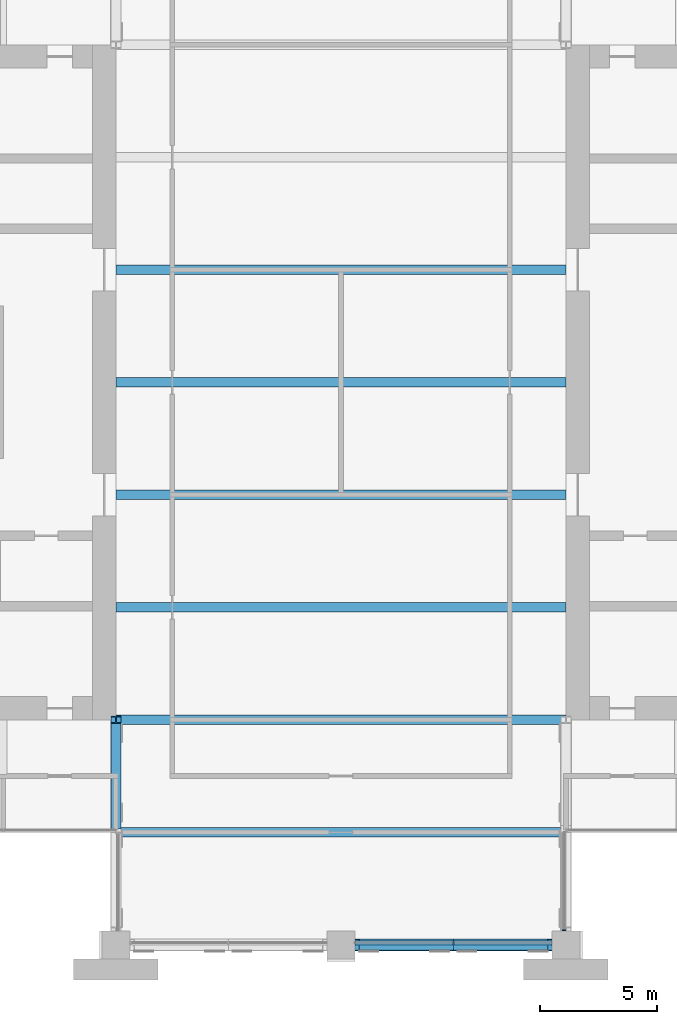
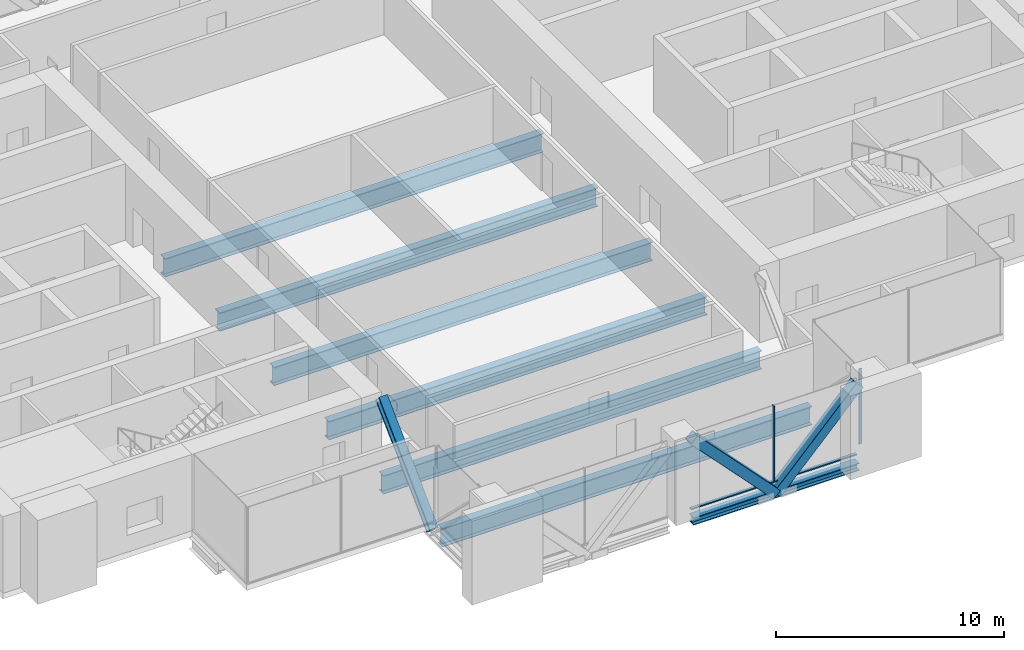
# One storey, part 3 of 14: 7 beams, 6 members, 2 elements without a shape of their own.
"""IFC4 building model written with IfcOpenShell, lengths in metres."""

from ifc_helpers import new_model, si_unit, direction, frame, origin, origin_2d, place, context, subcontext, project, spatial, rectangle, hollow_rectangle, i_section, extrude, material, material_profile, profile_set, type_object, element, aggregate, save


model = new_model("IFC4")

# Units and contexts
model_context = context("Model", 3, precision=1e-05, world=origin(), true_north=direction((0.0, 1.0)))
body_context = subcontext(model_context, "Body", "Model", "MODEL_VIEW")
ifc_project = project(units=[si_unit("LENGTHUNIT", "METRE"), si_unit("AREAUNIT", "SQUARE_METRE"), si_unit("VOLUMEUNIT", "CUBIC_METRE"), si_unit("PLANEANGLEUNIT", "RADIAN"), si_unit("MASSUNIT", "GRAM", prefix="KILO")], contexts=[model_context])

# Site, building, storey
site_placement = place(None, origin())
site = spatial("IfcSite", under=ifc_project, at=site_placement, CompositionType="ELEMENT")
building_placement = place(site_placement, origin())
building = spatial("IfcBuilding", under=site, at=building_placement, Name="Baori Bourse Tower", CompositionType="ELEMENT")
storey_placement = place(building_placement, frame((0.0, 0.0, 176.10009765625)))
storey = spatial("IfcBuildingStorey", under=building, at=storey_placement, Name="L39", CompositionType="ELEMENT", Elevation=176.10009765625)

# Beam
ifc_material_1 = material(Name="Steel A913 Gr 65", Category="steel")
ifc_material_profile_1 = material_profile(ifc_material_1, i_section(OverallWidth=0.4013671875, OverallDepth=0.398681640625, WebThickness=0.02490234375, FlangeThickness=0.03955078125, at=origin_2d()), Name="W14x211")
ifc_profile_set_1 = profile_set([ifc_material_profile_1], Name="Steel A913 Gr 65")
beam_type_1 = type_object("IfcBeamType", Name="Belt truss chord W14x211", PredefinedType="BEAM", material=ifc_profile_set_1)
beam_1_placement = place(storey_placement, frame((29.39990234375, 0.0, -0.49951171875), z_axis=(1.0, 0.0, 0.0), x_axis=(0.0, 1.0, 0.0)))
element("IfcBeam", 1, at=beam_1_placement, inside=storey, type_object=beam_type_1, Name="Belt truss chord L39", PredefinedType="BEAM", context=body_context, shape_type="SweptSolid", body=[
    extrude(i_section(OverallWidth=0.4013671875, OverallDepth=0.398681640625, WebThickness=0.02490234375, FlangeThickness=0.03955078125, at=origin_2d()), origin(), (0.0, 0.0, 1.0), 8.400146484375),
])

# Members
ifc_material_2 = material(Name="Steel A500 Gr C", Category="steel")
ifc_material_profile_2 = material_profile(ifc_material_2, hollow_rectangle(XDim=0.508056640625, YDim=0.508056640625, WallThickness=0.0146484375, InnerFilletRadius=0.00732421875, OuterFilletRadius=0.022216796875, at=origin_2d()), Name="HSS20x20x5/8")
ifc_profile_set_2 = profile_set([ifc_material_profile_2], Name="Steel A500 Gr C")
member_type_1 = type_object("IfcMemberType", Name="Belt truss diagonal HSS20x20x5/8", PredefinedType="BRACE", material=ifc_profile_set_2)
for number, where, z_axis, x_axis, name in (
    (2, (29.39990234375, 0.0, 3.900390625), (0.69050056554, 0.0, -0.723331852602), (0.0, 1.0, 0.0), "Belt truss diagonal L39"),
    (3, (33.60009765625, 0.0, -0.49951171875), (0.690479565127, 0.0, 0.723351899245), (0.0, 1.0, 0.0), "Belt truss diagonal L39"),
):
    element("IfcMember", number, at=place(storey_placement, frame(where, z_axis=z_axis, x_axis=x_axis)), inside=storey, type_object=member_type_1, Name=name, PredefinedType="BRACE", context=body_context, shape_type="SweptSolid", body=[
        extrude(hollow_rectangle(XDim=0.508056640625, YDim=0.508056640625, WallThickness=0.0146484375, InnerFilletRadius=0.00732421875, OuterFilletRadius=0.022216796875, at=origin_2d()), origin(), (0.0, 0.0, 1.0), 6.082763671875),
    ])

# Curtain wall, member
ifc_material_3 = material(Name="Pale anodised aluminium", Category="aluminium")
curtain_wall_type = type_object("IfcCurtainWallType", Name="CW3 Curtain wall", PredefinedType="NOTDEFINED", material=ifc_material_3)
curtain_wall_1_placement = place(storey_placement, origin())
curtain_wall_1 = element("IfcCurtainWall", 4, at=curtain_wall_1_placement, inside=storey, type_object=curtain_wall_type, Name="Curtain wall CW3 L39 11", PredefinedType="NOTDEFINED")
ifc_material_4 = material(Name="Pale anodised aluminium", Category="aluminium")
ifc_material_profile_3 = material_profile(ifc_material_4, rectangle(XDim=0.159912109375, YDim=0.050048828125, at=origin_2d()), Name="Mullion 50x160")
ifc_profile_set_3 = profile_set([ifc_material_profile_3], Name="Pale anodised aluminium")
member_type_2 = type_object("IfcMemberType", Name="CW3 Curtain wall mullion", PredefinedType="MULLION", material=ifc_profile_set_3)
member_1_placement = place(storey_placement, frame((33.60009765625, 0.080078125, 0.059814453125), z_axis=(0.0, 0.0, 1.0), x_axis=(0.0, 1.0, 0.0)))
member_1 = element("IfcMember", 5, at=member_1_placement, type_object=member_type_2, Name="Curtain wall CW3 mullion", PredefinedType="MULLION", context=body_context, shape_type="SweptSolid", body=[
    extrude(rectangle(XDim=0.159912109375, YDim=0.050048828125, at=origin_2d()), origin(), (0.0, 0.0, 1.0), 4.0400390625),
])

curtain_wall_2_placement = place(storey_placement, origin())
curtain_wall_2 = element("IfcCurtainWall", 6, at=curtain_wall_2_placement, inside=storey, type_object=curtain_wall_type, Name="Curtain wall CW3 L39 12", PredefinedType="NOTDEFINED")
member_2_placement = place(storey_placement, frame((38.320068359375, 0.625, 0.059814453125), z_axis=(0.0, 0.0, 1.0), x_axis=(-1.0, 0.0, 0.0)))
member_2 = element("IfcMember", 7, at=member_2_placement, type_object=member_type_2, Name="Curtain wall CW3 mullion", PredefinedType="MULLION", context=body_context, shape_type="SweptSolid", body=[
    extrude(rectangle(XDim=0.159912109375, YDim=0.050048828125, at=origin_2d()), origin(), (0.0, 0.0, 1.0), 4.0400390625),
])
aggregate(curtain_wall_2, [member_2])

# Member
ifc_material_5 = material(Name="Pale anodised aluminium", Category="aluminium")
ifc_material_profile_4 = material_profile(ifc_material_5, rectangle(XDim=0.159912109375, YDim=0.06005859375, at=origin_2d()), Name="Transom 60x160")
ifc_profile_set_4 = profile_set([ifc_material_profile_4], Name="Pale anodised aluminium")
member_type_3 = type_object("IfcMemberType", Name="CW3 Curtain wall transom", PredefinedType="USERDEFINED", material=ifc_profile_set_4)
member_3_placement = place(storey_placement, frame((29.39990234375, 0.080078125, 0.02978515625), z_axis=(1.0, 0.0, 0.0), x_axis=(0.0, 1.0, 0.0)))
member_3 = element("IfcMember", 8, at=member_3_placement, type_object=member_type_3, Name="Curtain wall CW3 sill rail", ObjectType="TRANSOM", PredefinedType="USERDEFINED", context=body_context, shape_type="SweptSolid", body=[
    extrude(rectangle(XDim=0.159912109375, YDim=0.06005859375, at=origin_2d()), origin(), (0.0, 0.0, 1.0), 8.400146484375),
])

aggregate(curtain_wall_1, [member_3, member_1])

# Beams
ifc_material_6 = material(Name="Steel A992 Gr 50", Category="steel")
ifc_material_profile_5 = material_profile(ifc_material_6, i_section(OverallWidth=0.4013671875, OverallDepth=0.990478515625, WebThickness=0.0166015625, FlangeThickness=0.031005859375, at=origin_2d()), Name="W40x215")
ifc_profile_set_5 = profile_set([ifc_material_profile_5], Name="Steel A992 Gr 50")
beam_type_2 = type_object("IfcBeamType", Name="Floor beam W40x215", PredefinedType="BEAM", material=ifc_profile_set_5)
beam_2_placement = place(storey_placement, frame((19.42724609375, 4.800048828125, -0.79541015625), z_axis=(1.0, 0.0, 0.0), x_axis=(0.0, 1.0, 0.0)))
element("IfcBeam", 9, at=beam_2_placement, inside=storey, type_object=beam_type_2, Name="Floor beam L39", PredefinedType="BEAM", context=body_context, shape_type="SweptSolid", body=[
    extrude(i_section(OverallWidth=0.4013671875, OverallDepth=0.990478515625, WebThickness=0.0166015625, FlangeThickness=0.031005859375, at=origin_2d()), origin(), (0.0, 0.0, 1.0), 18.745361328125),
])
for number, where, z_axis, x_axis, name in (
    (10, (19.199951171875, 9.60009765625, -0.79541015625), (1.0, 0.0, 0.0), (0.0, 1.0, 0.0), "Floor beam L39"),
    (11, (19.199951171875, 14.39990234375, -0.79541015625), (1.0, 0.0, 0.0), (0.0, 1.0, 0.0), "Floor beam L39"),
    (12, (19.199951171875, 19.199951171875, -0.79541015625), (1.0, 0.0, 0.0), (0.0, 1.0, 0.0), "Floor beam L39"),
    (13, (19.199951171875, 24.0, -0.79541015625), (1.0, 0.0, 0.0), (0.0, 1.0, 0.0), "Floor beam L39"),
    (14, (19.199951171875, 28.800048828125, -0.79541015625), (1.0, 0.0, 0.0), (0.0, 1.0, 0.0), "Floor beam L39"),
):
    element("IfcBeam", number, at=place(storey_placement, frame(where, z_axis=z_axis, x_axis=x_axis)), inside=storey, type_object=beam_type_2, Name=name, PredefinedType="BEAM", context=body_context, shape_type="SweptSolid", body=[
        extrude(i_section(OverallWidth=0.4013671875, OverallDepth=0.990478515625, WebThickness=0.0166015625, FlangeThickness=0.031005859375, at=origin_2d()), origin(), (0.0, 0.0, 1.0), 19.199951171875),
    ])

# Member
ifc_material_7 = material(Name="Steel A913 Gr 65", Category="steel")
ifc_material_profile_6 = material_profile(ifc_material_7, i_section(OverallWidth=0.419189453125, OverallDepth=0.45458984375, WebThickness=0.042236328125, FlangeThickness=0.067626953125, at=origin_2d()), Name="W14x370")
ifc_profile_set_6 = profile_set([ifc_material_profile_6], Name="Steel A913 Gr 65")
member_type_4 = type_object("IfcMemberType", Name="Outrigger truss diagonal W14x370", PredefinedType="BRACE", material=ifc_profile_set_6)
member_4_placement = place(storey_placement, frame((19.199951171875, 5.10009765625, -0.58447265625), z_axis=(0.0, 0.715014425413, 0.699109699154), x_axis=(-1.0, 0.0, 0.0)))
element("IfcMember", 15, at=member_4_placement, inside=storey, type_object=member_type_4, Name="Outrigger truss diagonal L39", PredefinedType="BRACE", context=body_context, shape_type="SweptSolid", body=[
    extrude(i_section(OverallWidth=0.419189453125, OverallDepth=0.45458984375, WebThickness=0.042236328125, FlangeThickness=0.067626953125, at=origin_2d()), origin(), (0.0, 0.0, 1.0), 6.293701171875),
])

save(model, "model.ifc")
